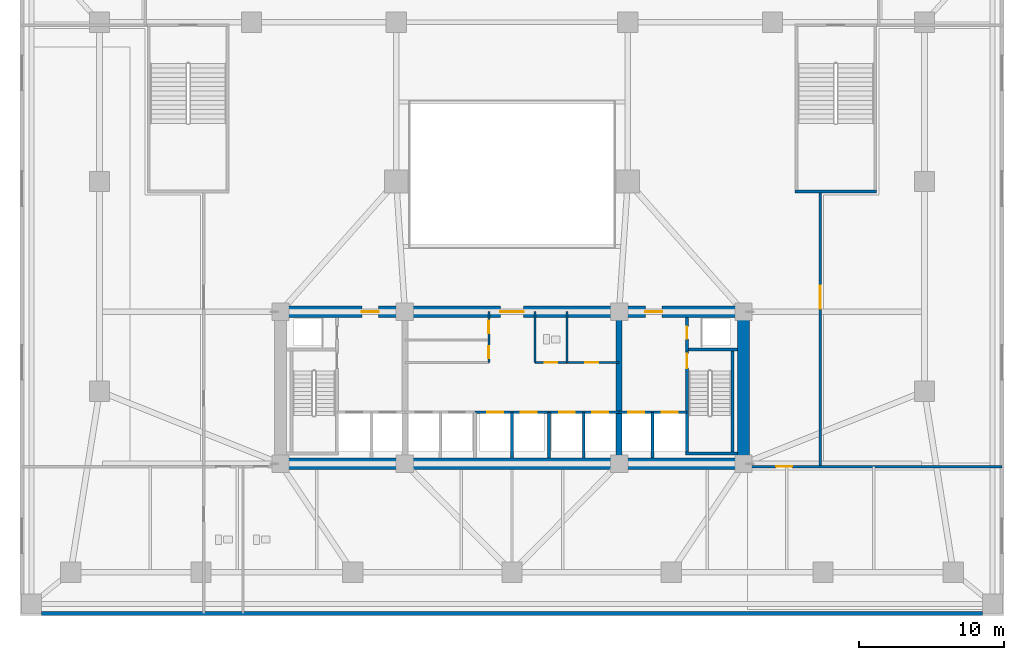
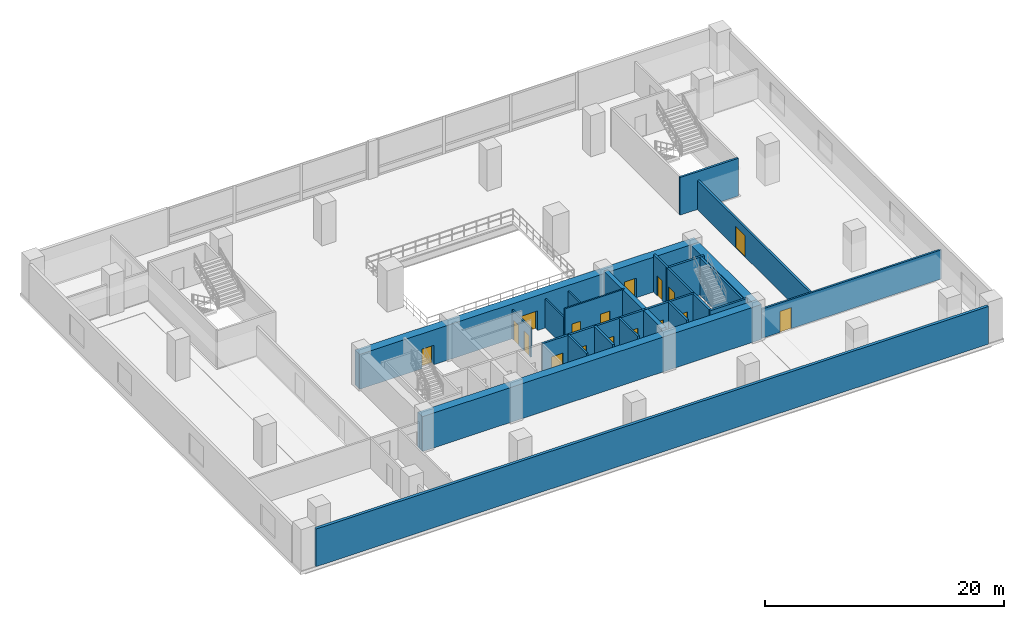
# One storey, part 8 of 15: 24 walls, 17 doors, 17 openings.
"""IFC4 building model written with IfcOpenShell, lengths in metres."""

from ifc_helpers import new_model, si_unit, direction, frame, frame_2d, origin, place, context, subcontext, project, spatial, rectangle, extrude, material, layer, layer_set, type_object, element, fill, save


model = new_model("IFC4")

# Units and contexts
model_context = context("Model", 3, precision=1e-05, world=origin(), true_north=direction((0.0, 1.0)))
body_context = subcontext(model_context, "Body", "Model", "MODEL_VIEW")
ifc_project = project(units=[si_unit("LENGTHUNIT", "METRE"), si_unit("AREAUNIT", "SQUARE_METRE"), si_unit("VOLUMEUNIT", "CUBIC_METRE"), si_unit("PLANEANGLEUNIT", "RADIAN"), si_unit("MASSUNIT", "GRAM", prefix="KILO")], contexts=[model_context])

# Site, building, storey
site_placement = place(None, origin())
site = spatial("IfcSite", under=ifc_project, at=site_placement, CompositionType="ELEMENT")
building_placement = place(site_placement, origin())
building = spatial("IfcBuilding", under=site, at=building_placement, Name="Solmavex Isthmus Hotel", CompositionType="ELEMENT")
storey_placement = place(building_placement, frame((0.0, 0.0, 16.199951171875)))
storey = spatial("IfcBuildingStorey", under=building, at=storey_placement, Name="L04", CompositionType="ELEMENT", Elevation=16.199951171875)

# Wall
ifc_material_1 = material(Name="Precast Concrete C40/50", Category="concrete")
ifc_layer_1 = layer(ifc_material_1, 0.280029296875)
ifc_layer_set_1 = layer_set([ifc_layer_1], Name="Precast Concrete C40/50")
wall_type_1 = type_object("IfcWallType", Name="EW-POD-280", PredefinedType="STANDARD", material=ifc_layer_set_1)
wall_1_placement = place(storey_placement, frame((-32.5, -23.360107421875, 0.0), z_axis=(0.0, 0.0, 1.0), x_axis=(1.0, 0.0, 0.0)))
element("IfcWall", 1, at=wall_1_placement, inside=storey, type_object=wall_type_1, Name="Podium Facade Wall South L04", PredefinedType="STANDARD", context=body_context, shape_type="SweptSolid", body=[
    extrude(rectangle(XDim=65.0, YDim=0.280029296875, at=frame_2d((32.5, 0.0))), origin(), (0.0, 0.0, 1.0), 3.85009765625),
])

# Wall, openings, doors
ifc_material_2 = material(Name="Gypsum plasterboard lining", Category="gypsum")
ifc_layer_2 = layer(ifc_material_2, 0.14990234375)
ifc_layer_set_2 = layer_set([ifc_layer_2], Name="Gypsum plasterboard lining")
wall_type_2 = type_object("IfcWallType", Name="IW-CORR-150", PredefinedType="PARTITIONING", material=ifc_layer_set_2)
wall_2_placement = place(storey_placement, frame((-1.60009765625, -6.0, 0.0), z_axis=(0.0, 0.0, 1.0), x_axis=(0.0, 1.0, 0.0)))
wall_2 = element("IfcWall", 2, at=wall_2_placement, inside=storey, type_object=wall_type_2, Name="Interior Partition Wall W-L04-BOH-WE", PredefinedType="PARTITIONING", context=body_context, shape_type="SweptSolid", body=[
    extrude(rectangle(XDim=3.5, YDim=0.14990234375, at=frame_2d((1.75, 0.0))), origin(), (0.0, 0.0, 1.0), 2.9794921875),
])
opening_1_placement = place(wall_2_placement, frame((0.27490234375, 0.0, 0.0)))
opening_1 = element("IfcOpeningElement", 3, at=opening_1_placement, cuts=wall_2, Name="Opening ID-R085", PredefinedType="OPENING", context=body_context, shape_type="SweptSolid", body=[
    extrude(rectangle(XDim=0.85009765625, YDim=2.050048828125, at=frame_2d((0.425048828125, 1.02490234375))), frame((0.0, 0.0849609375, 0.0), z_axis=(0.0, -1.0, 0.0), x_axis=(1.0, 0.0, 0.0)), (0.0, 0.0, 1.0), 0.169921875),
])
opening_2_placement = place(wall_2_placement, frame((2.02490234375, 0.0, 0.0)))
opening_2 = element("IfcOpeningElement", 4, at=opening_2_placement, cuts=wall_2, Name="Opening ID-R085", PredefinedType="OPENING", context=body_context, shape_type="SweptSolid", body=[
    extrude(rectangle(XDim=0.85009765625, YDim=2.050048828125, at=frame_2d((0.425048828125, 1.02490234375))), frame((0.0, 0.0849609375, 0.0), z_axis=(0.0, -1.0, 0.0), x_axis=(1.0, 0.0, 0.0)), (0.0, 0.0, 1.0), 0.169921875),
])
ifc_material_3 = material(Name="Steel ASTM A500 Grade C", Category="steel")
door_type_1 = type_object("IfcDoorType", Name="IDR-FD60-0850", OperationType="NOTDEFINED", PredefinedType="DOOR", material=ifc_material_3)
door_1_placement = place(opening_1_placement, origin())
door_1 = element("IfcDoor", 5, at=door_1_placement, inside=storey, type_object=door_type_1, Name="Housekeeping Door L04", OperationType="SINGLE_SWING_LEFT", OverallHeight=2.050048828125, OverallWidth=0.85009765625, PredefinedType="DOOR", context=body_context, shape_type="SweptSolid", body=[
    extrude(rectangle(XDim=0.85009765625, YDim=2.050048828125, at=frame_2d((0.425048828125, 1.02490234375))), frame((0.0, 0.02490234375, 0.0), z_axis=(0.0, -1.0, 0.0), x_axis=(1.0, 0.0, 0.0)), (0.0, 0.0, 1.0), 0.050048828125),
])
fill(opening_1, door_1)
door_2_placement = place(opening_2_placement, origin())
door_2 = element("IfcDoor", 6, at=door_2_placement, inside=storey, type_object=door_type_1, Name="Valet Store Door L04", OperationType="SINGLE_SWING_RIGHT", OverallHeight=2.050048828125, OverallWidth=0.85009765625, PredefinedType="DOOR", context=body_context, shape_type="SweptSolid", body=[
    extrude(rectangle(XDim=0.85009765625, YDim=2.050048828125, at=frame_2d((0.425048828125, 1.02490234375))), frame((0.0, 0.02490234375, 0.0), z_axis=(0.0, -1.0, 0.0), x_axis=(1.0, 0.0, 0.0)), (0.0, 0.0, 1.0), 0.050048828125),
])
fill(opening_2, door_2)

wall_3_placement = place(storey_placement, frame((1.60009765625, -6.0, 0.0), z_axis=(0.0, 0.0, 1.0), x_axis=(1.0, 0.0, 0.0)))
wall_3 = element("IfcWall", 7, at=wall_3_placement, inside=storey, type_object=wall_type_2, Name="Interior Partition Wall W-L04-BOH-ES", PredefinedType="PARTITIONING", context=body_context, shape_type="SweptSolid", body=[
    extrude(rectangle(XDim=5.7998046875, YDim=0.14990234375, at=frame_2d((2.89990234375, 0.0))), origin(), (0.0, 0.0, 1.0), 3.85009765625),
])
opening_3_placement = place(wall_3_placement, frame((0.675048828125, 0.0, 0.0)))
opening_3 = element("IfcOpeningElement", 8, at=opening_3_placement, cuts=wall_3, Name="Opening ID-R085", PredefinedType="OPENING", context=body_context, shape_type="SweptSolid", body=[
    extrude(rectangle(XDim=0.85009765625, YDim=2.050048828125, at=frame_2d((0.425048828125, 1.02490234375))), frame((0.0, 0.0849609375, 0.0), z_axis=(0.0, -1.0, 0.0), x_axis=(1.0, 0.0, 0.0)), (0.0, 0.0, 1.0), 0.169921875),
])
opening_4_placement = place(wall_3_placement, frame((3.449951171875, 0.0, 0.0)))
opening_4 = element("IfcOpeningElement", 9, at=opening_4_placement, cuts=wall_3, Name="Opening ID-C090", PredefinedType="OPENING", context=body_context, shape_type="SweptSolid", body=[
    extrude(rectangle(XDim=0.89990234375, YDim=2.10009765625, at=frame_2d((0.449951171875, 1.050048828125))), frame((0.0, 0.0849609375, 0.0), z_axis=(0.0, -1.0, 0.0), x_axis=(1.0, 0.0, 0.0)), (0.0, 0.0, 1.0), 0.169921875),
])
door_3_placement = place(opening_3_placement, frame((0.85009765625, 0.0, 0.0), z_axis=(0.0, 0.0, 1.0), x_axis=(-1.0, 0.0, 0.0)))
door_3 = element("IfcDoor", 10, at=door_3_placement, inside=storey, type_object=door_type_1, Name="Staff WC Door L04", OperationType="SINGLE_SWING_LEFT", OverallHeight=2.050048828125, OverallWidth=0.85009765625, PredefinedType="DOOR", context=body_context, shape_type="SweptSolid", body=[
    extrude(rectangle(XDim=0.85009765625, YDim=2.050048828125, at=frame_2d((0.425048828125, 1.02490234375))), frame((0.0, 0.02490234375, 0.0), z_axis=(0.0, -1.0, 0.0), x_axis=(1.0, 0.0, 0.0)), (0.0, 0.0, 1.0), 0.050048828125),
])
fill(opening_3, door_3)
ifc_material_4 = material(Name="Hardwood timber", Category="wood")
door_type_2 = type_object("IfcDoorType", Name="IDR-FD60-0900", OperationType="NOTDEFINED", PredefinedType="DOOR", material=ifc_material_4)
door_4_placement = place(opening_4_placement, frame((0.89990234375, 0.0, 0.0), z_axis=(0.0, 0.0, 1.0), x_axis=(-1.0, 0.0, 0.0)))
door_4 = element("IfcDoor", 11, at=door_4_placement, inside=storey, type_object=door_type_2, Name="Room Service Door L04", OperationType="SINGLE_SWING_RIGHT", OverallHeight=2.10009765625, OverallWidth=0.89990234375, PredefinedType="DOOR", context=body_context, shape_type="SweptSolid", body=[
    extrude(rectangle(XDim=0.89990234375, YDim=2.10009765625, at=frame_2d((0.449951171875, 1.050048828125))), frame((0.0, 0.02490234375, 0.0), z_axis=(0.0, -1.0, 0.0), x_axis=(1.0, 0.0, 0.0)), (0.0, 0.0, 1.0), 0.050048828125),
])
fill(opening_4, door_4)

# Walls
wall_4_placement = place(storey_placement, frame((1.60009765625, -6.0, 0.0), z_axis=(0.0, 0.0, 1.0), x_axis=(0.0, 1.0, 0.0)))
element("IfcWall", 12, at=wall_4_placement, inside=storey, type_object=wall_type_2, Name="Interior Partition Wall W-L04-BOH-EW", PredefinedType="PARTITIONING", context=body_context, shape_type="SweptSolid", body=[
    extrude(rectangle(XDim=3.5, YDim=0.14990234375, at=frame_2d((1.75, 0.0))), origin(), (0.0, 0.0, 1.0), 2.9794921875),
])
ifc_layer_3 = layer(ifc_material_2, 0.1201171875)
ifc_layer_set_3 = layer_set([ifc_layer_3], Name="Gypsum plasterboard lining")
wall_type_3 = type_object("IfcWallType", Name="IW-PART-120", PredefinedType="PARTITIONING", material=ifc_layer_set_3)
wall_5_placement = place(storey_placement, frame((3.800048828125, -6.0, 0.0), z_axis=(0.0, 0.0, 1.0), x_axis=(0.0, 1.0, 0.0)))
element("IfcWall", 13, at=wall_5_placement, inside=storey, type_object=wall_type_3, Name="Interior Partition Wall W-L04-BOH-EM3", PredefinedType="PARTITIONING", context=body_context, shape_type="SweptSolid", body=[
    extrude(rectangle(XDim=3.5, YDim=0.14990234375, at=frame_2d((1.75, 0.0))), origin(), (0.0, 0.0, 1.0), 2.9794921875),
])
ifc_material_5 = material(Name="Concrete C40/50", Category="concrete")
ifc_layer_4 = layer(ifc_material_5, 0.179931640625)
ifc_layer_set_4 = layer_set([ifc_layer_4], Name="Concrete C40/50")
wall_type_4 = type_object("IfcWallType", Name="IW-SHAFT-180", PredefinedType="PARTITIONING", material=ifc_layer_set_4)
for number, where, z_axis, x_axis, name in (
    (14, (0.0, -12.60009765625, 0.0), (0.0, 0.0, 1.0), (0.0, 1.0, 0.0), "Interior Partition Wall W-L04-SH-PLM-M"),
    (15, (4.949951171875, -12.60009765625, 0.0), (0.0, 0.0, 1.0), (0.0, 1.0, 0.0), "Interior Partition Wall W-L04-SH-PLH-M"),
):
    element("IfcWall", number, at=place(storey_placement, frame(where, z_axis=z_axis, x_axis=x_axis)), inside=storey, type_object=wall_type_4, Name=name, PredefinedType="PARTITIONING", context=body_context, shape_type="SweptSolid", body=[
        extrude(rectangle(XDim=3.150146484375, YDim=0.179931640625, at=frame_2d((1.5751953125, 0.0))), origin(), (0.0, 0.0, 1.0), 3.85009765625),
    ])

# Wall, opening, door
wall_6_placement = place(storey_placement, frame((16.0, -13.199951171875, 0.0), z_axis=(0.0, 0.0, 1.0), x_axis=(1.0, 0.0, 0.0)))
wall_6 = element("IfcWall", 16, at=wall_6_placement, inside=storey, type_object=wall_type_4, Name="Interior Partition Wall W-L04-SOUTH-E", PredefinedType="PARTITIONING", context=body_context, shape_type="SweptSolid", body=[
    extrude(rectangle(XDim=17.860107421875, YDim=0.179931640625, at=frame_2d((8.93017578125, 0.0))), origin(), (0.0, 0.0, 1.0), 2.9794921875),
])
opening_5_placement = place(wall_6_placement, frame((2.25, 0.0, 0.0)))
opening_5 = element("IfcOpeningElement", 17, at=opening_5_placement, cuts=wall_6, Name="Opening ID-C110", PredefinedType="OPENING", context=body_context, shape_type="SweptSolid", body=[
    extrude(rectangle(XDim=1.10009765625, YDim=2.14990234375, at=frame_2d((0.550048828125, 1.074951171875))), frame((0.0, 0.099853515625, 0.0), z_axis=(0.0, -1.0, 0.0), x_axis=(1.0, 0.0, 0.0)), (0.0, 0.0, 1.0), 0.199951171875),
])
door_type_3 = type_object("IfcDoorType", Name="IDR-FD60-1100", OperationType="NOTDEFINED", PredefinedType="DOOR", material=ifc_material_4)
door_5_placement = place(opening_5_placement, frame((1.10009765625, 0.0, 0.0), z_axis=(0.0, 0.0, 1.0), x_axis=(-1.0, 0.0, 0.0)))
door_5 = element("IfcDoor", 18, at=door_5_placement, inside=storey, type_object=door_type_3, Name="AV Control Door L04", OperationType="SINGLE_SWING_LEFT", OverallHeight=2.14990234375, OverallWidth=1.10009765625, PredefinedType="DOOR", context=body_context, shape_type="SweptSolid", body=[
    extrude(rectangle(XDim=1.10009765625, YDim=2.14990234375, at=frame_2d((0.550048828125, 1.074951171875))), frame((0.0, 0.02490234375, 0.0), z_axis=(0.0, -1.0, 0.0), x_axis=(1.0, 0.0, 0.0)), (0.0, 0.0, 1.0), 0.050048828125),
])
fill(opening_5, door_5)

ifc_layer_5 = layer(ifc_material_5, 0.199951171875)
ifc_layer_set_5 = layer_set([ifc_layer_5], Name="Concrete C40/50")
wall_type_5 = type_object("IfcWallType", Name="IW-SHAFT-200", PredefinedType="PARTITIONING", material=ifc_layer_set_5)
wall_7_placement = place(storey_placement, frame((12.10009765625, -5.199951171875, 0.0), z_axis=(0.0, 0.0, 1.0), x_axis=(0.0, 1.0, 0.0)))
wall_7 = element("IfcWall", 19, at=wall_7_placement, inside=storey, type_object=wall_type_5, Name="Interior Partition Wall W-L04-RSE-W", PredefinedType="PARTITIONING", context=body_context, shape_type="SweptSolid", body=[
    extrude(rectangle(XDim=2.300048828125, YDim=0.199951171875, at=frame_2d((1.14990234375, 0.0))), origin(), (0.0, 0.0, 1.0), 3.85009765625),
])
opening_6_placement = place(wall_7_placement, frame((0.824951171875, 0.0, 0.0)))
opening_6 = element("IfcOpeningElement", 20, at=opening_6_placement, cuts=wall_7, Name="Opening ID-R085", PredefinedType="OPENING", context=body_context, shape_type="SweptSolid", body=[
    extrude(rectangle(XDim=0.85009765625, YDim=2.050048828125, at=frame_2d((0.425048828125, 1.02490234375))), frame((0.0, 0.10986328125, 0.0), z_axis=(0.0, -1.0, 0.0), x_axis=(1.0, 0.0, 0.0)), (0.0, 0.0, 1.0), 0.219970703125),
])
door_6_placement = place(opening_6_placement, frame((0.85009765625, 0.0, 0.0), z_axis=(0.0, 0.0, 1.0), x_axis=(-1.0, 0.0, 0.0)))
door_6 = element("IfcDoor", 21, at=door_6_placement, inside=storey, type_object=door_type_1, Name="Mechanical Riser Door L04", OperationType="SINGLE_SWING_LEFT", OverallHeight=2.050048828125, OverallWidth=0.85009765625, PredefinedType="DOOR", context=body_context, shape_type="SweptSolid", body=[
    extrude(rectangle(XDim=0.85009765625, YDim=2.050048828125, at=frame_2d((0.425048828125, 1.02490234375))), frame((0.0, 0.02490234375, 0.0), z_axis=(0.0, -1.0, 0.0), x_axis=(1.0, 0.0, 0.0)), (0.0, 0.0, 1.0), 0.050048828125),
])
fill(opening_6, door_6)

# Wall, openings, doors
wall_8_placement = place(storey_placement, frame((7.39990234375, -9.449951171875, 0.0), z_axis=(0.0, 0.0, 1.0), x_axis=(1.0, 0.0, 0.0)))
wall_8 = element("IfcWall", 22, at=wall_8_placement, inside=storey, type_object=wall_type_5, Name="Interior Partition Wall W-L04-FFLE-S", PredefinedType="PARTITIONING", context=body_context, shape_type="SweptSolid", body=[
    extrude(rectangle(XDim=4.7001953125, YDim=0.199951171875, at=frame_2d((2.35009765625, 0.0))), origin(), (0.0, 0.0, 1.0), 3.85009765625),
])
opening_7_placement = place(wall_8_placement, frame((2.949951171875, 0.0, 0.0)))
opening_7 = element("IfcOpeningElement", 23, at=opening_7_placement, cuts=wall_8, Name="Opening LD-FF", PredefinedType="OPENING", context=body_context, shape_type="SweptSolid", body=[
    extrude(rectangle(XDim=1.10009765625, YDim=2.199951171875, at=frame_2d((0.550048828125, 1.10009765625))), frame((0.0, 0.10986328125, 0.0), z_axis=(0.0, -1.0, 0.0), x_axis=(1.0, 0.0, 0.0)), (0.0, 0.0, 1.0), 0.219970703125),
])
opening_8_placement = place(wall_8_placement, frame((0.64990234375, 0.0, 0.0)))
opening_8 = element("IfcOpeningElement", 24, at=opening_8_placement, cuts=wall_8, Name="Opening LD-SV", PredefinedType="OPENING", context=body_context, shape_type="SweptSolid", body=[
    extrude(rectangle(XDim=1.10009765625, YDim=2.199951171875, at=frame_2d((0.550048828125, 1.10009765625))), frame((0.0, 0.10986328125, 0.0), z_axis=(0.0, -1.0, 0.0), x_axis=(1.0, 0.0, 0.0)), (0.0, 0.0, 1.0), 0.219970703125),
])
ifc_material_6 = material(Name="Stainless steel 316", Category="steel")
door_type_4 = type_object("IfcDoorType", Name="LDR-FF-1100", OperationType="NOTDEFINED", PredefinedType="DOOR", material=ifc_material_6)
door_7_placement = place(opening_7_placement, origin())
door_7 = element("IfcDoor", 25, at=door_7_placement, inside=storey, type_object=door_type_4, Name="Lift Landing Door FFL-2 L04", OperationType="SLIDING_TO_LEFT", OverallHeight=2.199951171875, OverallWidth=1.10009765625, PredefinedType="DOOR", context=body_context, shape_type="SweptSolid", body=[
    extrude(rectangle(XDim=1.10009765625, YDim=2.199951171875, at=frame_2d((0.550048828125, 1.10009765625))), frame((0.0, 0.02490234375, 0.0), z_axis=(0.0, -1.0, 0.0), x_axis=(1.0, 0.0, 0.0)), (0.0, 0.0, 1.0), 0.050048828125),
])
fill(opening_7, door_7)
door_type_5 = type_object("IfcDoorType", Name="LDR-SV-1100", OperationType="NOTDEFINED", PredefinedType="DOOR", material=ifc_material_6)
door_8_placement = place(opening_8_placement, origin())
door_8 = element("IfcDoor", 26, at=door_8_placement, inside=storey, type_object=door_type_5, Name="Lift Landing Door SVL-2 L04", OperationType="SLIDING_TO_RIGHT", OverallHeight=2.199951171875, OverallWidth=1.10009765625, PredefinedType="DOOR", context=body_context, shape_type="SweptSolid", body=[
    extrude(rectangle(XDim=1.10009765625, YDim=2.199951171875, at=frame_2d((0.550048828125, 1.10009765625))), frame((0.0, 0.02490234375, 0.0), z_axis=(0.0, -1.0, 0.0), x_axis=(1.0, 0.0, 0.0)), (0.0, 0.0, 1.0), 0.050048828125),
])
fill(opening_8, door_8)

# Wall
wall_9_placement = place(storey_placement, frame((9.699951171875, -12.60009765625, 0.0), z_axis=(0.0, 0.0, 1.0), x_axis=(0.0, 1.0, 0.0)))
element("IfcWall", 27, at=wall_9_placement, inside=storey, type_object=wall_type_5, Name="Interior Partition Wall W-L04-FFLE-M", PredefinedType="PARTITIONING", context=body_context, shape_type="SweptSolid", body=[
    extrude(rectangle(XDim=3.150146484375, YDim=0.199951171875, at=frame_2d((1.5751953125, 0.0))), origin(), (0.0, 0.0, 1.0), 3.85009765625),
])

# Wall, openings, doors
wall_10_placement = place(storey_placement, frame((-2.550048828125, -9.449951171875, 0.0), z_axis=(0.0, 0.0, 1.0), x_axis=(1.0, 0.0, 0.0)))
wall_10 = element("IfcWall", 28, at=wall_10_placement, inside=storey, type_object=wall_type_5, Name="Interior Partition Wall W-L04-SH-PLM", PredefinedType="PARTITIONING", context=body_context, shape_type="SweptSolid", body=[
    extrude(rectangle(XDim=5.10009765625, YDim=0.199951171875, at=frame_2d((2.550048828125, 0.0))), origin(), (0.0, 0.0, 1.0), 3.85009765625),
])
opening_9_placement = place(wall_10_placement, frame((0.85009765625, 0.0, 0.0)))
opening_9 = element("IfcOpeningElement", 29, at=opening_9_placement, cuts=wall_10, Name="Opening LD-PL", PredefinedType="OPENING", context=body_context, shape_type="SweptSolid", body=[
    extrude(rectangle(XDim=1.10009765625, YDim=2.199951171875, at=frame_2d((0.550048828125, 1.10009765625))), frame((0.0, 0.10986328125, 0.0), z_axis=(0.0, -1.0, 0.0), x_axis=(1.0, 0.0, 0.0)), (0.0, 0.0, 1.0), 0.219970703125),
])
opening_10_placement = place(wall_10_placement, frame((3.14990234375, 0.0, 0.0)))
opening_10 = element("IfcOpeningElement", 30, at=opening_10_placement, cuts=wall_10, Name="Opening LD-PL", PredefinedType="OPENING", context=body_context, shape_type="SweptSolid", body=[
    extrude(rectangle(XDim=1.10009765625, YDim=2.199951171875, at=frame_2d((0.550048828125, 1.10009765625))), frame((0.0, 0.10986328125, 0.0), z_axis=(0.0, -1.0, 0.0), x_axis=(1.0, 0.0, 0.0)), (0.0, 0.0, 1.0), 0.219970703125),
])
door_type_6 = type_object("IfcDoorType", Name="LDR-PL-1100", OperationType="NOTDEFINED", PredefinedType="DOOR", material=ifc_material_6)
door_9_placement = place(opening_9_placement, origin())
door_9 = element("IfcDoor", 31, at=door_9_placement, inside=storey, type_object=door_type_6, Name="Lift Landing Door PLM1 L04", OperationType="SLIDING_TO_RIGHT", OverallHeight=2.199951171875, OverallWidth=1.10009765625, PredefinedType="DOOR", context=body_context, shape_type="SweptSolid", body=[
    extrude(rectangle(XDim=1.10009765625, YDim=2.199951171875, at=frame_2d((0.550048828125, 1.10009765625))), frame((0.0, 0.02490234375, 0.0), z_axis=(0.0, -1.0, 0.0), x_axis=(1.0, 0.0, 0.0)), (0.0, 0.0, 1.0), 0.050048828125),
])
fill(opening_9, door_9)
door_10_placement = place(opening_10_placement, origin())
door_10 = element("IfcDoor", 32, at=door_10_placement, inside=storey, type_object=door_type_6, Name="Lift Landing Door PLM2 L04", OperationType="SLIDING_TO_RIGHT", OverallHeight=2.199951171875, OverallWidth=1.10009765625, PredefinedType="DOOR", context=body_context, shape_type="SweptSolid", body=[
    extrude(rectangle(XDim=1.10009765625, YDim=2.199951171875, at=frame_2d((0.550048828125, 1.10009765625))), frame((0.0, 0.02490234375, 0.0), z_axis=(0.0, -1.0, 0.0), x_axis=(1.0, 0.0, 0.0)), (0.0, 0.0, 1.0), 0.050048828125),
])
fill(opening_10, door_10)

# Wall
wall_11_placement = place(storey_placement, frame((2.550048828125, -12.60009765625, 0.0), z_axis=(0.0, 0.0, 1.0), x_axis=(0.0, 1.0, 0.0)))
element("IfcWall", 33, at=wall_11_placement, inside=storey, type_object=wall_type_5, Name="Interior Partition Wall W-L04-SH-PLM-E", PredefinedType="PARTITIONING", context=body_context, shape_type="SweptSolid", body=[
    extrude(rectangle(XDim=3.150146484375, YDim=0.199951171875, at=frame_2d((1.5751953125, 0.0))), origin(), (0.0, 0.0, 1.0), 3.85009765625),
])

# Wall, openings, doors
wall_12_placement = place(storey_placement, frame((2.550048828125, -9.449951171875, 0.0), z_axis=(0.0, 0.0, 1.0), x_axis=(1.0, 0.0, 0.0)))
wall_12 = element("IfcWall", 34, at=wall_12_placement, inside=storey, type_object=wall_type_5, Name="Interior Partition Wall W-L04-SH-PLH", PredefinedType="PARTITIONING", context=body_context, shape_type="SweptSolid", body=[
    extrude(rectangle(XDim=4.849853515625, YDim=0.199951171875, at=frame_2d((2.4248046875, 0.0))), origin(), (0.0, 0.0, 1.0), 3.85009765625),
])
opening_11_placement = place(wall_12_placement, frame((0.699951171875, 0.0, 0.0)))
opening_11 = element("IfcOpeningElement", 35, at=opening_11_placement, cuts=wall_12, Name="Opening LD-PL", PredefinedType="OPENING", context=body_context, shape_type="SweptSolid", body=[
    extrude(rectangle(XDim=1.10009765625, YDim=2.199951171875, at=frame_2d((0.550048828125, 1.10009765625))), frame((0.0, 0.10986328125, 0.0), z_axis=(0.0, -1.0, 0.0), x_axis=(1.0, 0.0, 0.0)), (0.0, 0.0, 1.0), 0.219970703125),
])
opening_12_placement = place(wall_12_placement, frame((3.0, 0.0, 0.0)))
opening_12 = element("IfcOpeningElement", 36, at=opening_12_placement, cuts=wall_12, Name="Opening LD-PL", PredefinedType="OPENING", context=body_context, shape_type="SweptSolid", body=[
    extrude(rectangle(XDim=1.10009765625, YDim=2.199951171875, at=frame_2d((0.550048828125, 1.10009765625))), frame((0.0, 0.10986328125, 0.0), z_axis=(0.0, -1.0, 0.0), x_axis=(1.0, 0.0, 0.0)), (0.0, 0.0, 1.0), 0.219970703125),
])
door_11_placement = place(opening_11_placement, origin())
door_11 = element("IfcDoor", 37, at=door_11_placement, inside=storey, type_object=door_type_6, Name="Lift Landing Door PLH1 L04", OperationType="SLIDING_TO_LEFT", OverallHeight=2.199951171875, OverallWidth=1.10009765625, PredefinedType="DOOR", context=body_context, shape_type="SweptSolid", body=[
    extrude(rectangle(XDim=1.10009765625, YDim=2.199951171875, at=frame_2d((0.550048828125, 1.10009765625))), frame((0.0, 0.02490234375, 0.0), z_axis=(0.0, -1.0, 0.0), x_axis=(1.0, 0.0, 0.0)), (0.0, 0.0, 1.0), 0.050048828125),
])
fill(opening_11, door_11)
door_12_placement = place(opening_12_placement, origin())
door_12 = element("IfcDoor", 38, at=door_12_placement, inside=storey, type_object=door_type_6, Name="Lift Landing Door PLH2 L04", OperationType="SLIDING_TO_LEFT", OverallHeight=2.199951171875, OverallWidth=1.10009765625, PredefinedType="DOOR", context=body_context, shape_type="SweptSolid", body=[
    extrude(rectangle(XDim=1.10009765625, YDim=2.199951171875, at=frame_2d((0.550048828125, 1.10009765625))), frame((0.0, 0.02490234375, 0.0), z_axis=(0.0, -1.0, 0.0), x_axis=(1.0, 0.0, 0.0)), (0.0, 0.0, 1.0), 0.050048828125),
])
fill(opening_12, door_12)

# Wall, opening, door
wall_13_placement = place(storey_placement, frame((21.300048828125, -13.199951171875, 0.0), z_axis=(0.0, 0.0, 1.0), x_axis=(0.0, 1.0, 0.0)))
wall_13 = element("IfcWall", 39, at=wall_13_placement, inside=storey, type_object=wall_type_5, Name="Interior Partition Wall W-L04-EAST-H", PredefinedType="PARTITIONING", context=body_context, shape_type="SweptSolid", body=[
    extrude(rectangle(XDim=18.889892578125, YDim=0.199951171875, at=frame_2d((9.44482421875, 0.0))), origin(), (0.0, 0.0, 1.0), 2.9794921875),
])
opening_13_placement = place(wall_13_placement, frame((10.89990234375, 0.0, 0.0)))
opening_13 = element("IfcOpeningElement", 40, at=opening_13_placement, cuts=wall_13, Name="Opening ID-C160", PredefinedType="OPENING", context=body_context, shape_type="SweptSolid", body=[
    extrude(rectangle(XDim=1.60009765625, YDim=2.199951171875, at=frame_2d((0.800048828125, 1.10009765625))), frame((0.0, 0.10986328125, 0.0), z_axis=(0.0, -1.0, 0.0), x_axis=(1.0, 0.0, 0.0)), (0.0, 0.0, 1.0), 0.219970703125),
])
door_type_7 = type_object("IfcDoorType", Name="IDR-FD60-1600", OperationType="NOTDEFINED", PredefinedType="DOOR", material=ifc_material_4)
door_13_placement = place(opening_13_placement, origin())
door_13 = element("IfcDoor", 41, at=door_13_placement, inside=storey, type_object=door_type_7, Name="East Hall Main Door L04", OperationType="DOUBLE_DOOR_SINGLE_SWING", OverallHeight=2.199951171875, OverallWidth=1.60009765625, PredefinedType="DOOR", context=body_context, shape_type="SweptSolid", body=[
    extrude(rectangle(XDim=1.60009765625, YDim=2.199951171875, at=frame_2d((0.800048828125, 1.10009765625))), frame((0.0, 0.02490234375, 0.0), z_axis=(0.0, -1.0, 0.0), x_axis=(1.0, 0.0, 0.0)), (0.0, 0.0, 1.0), 0.050048828125),
])
fill(opening_13, door_13)

# Walls
ifc_material_7 = material(Name="Concrete C70/85", Category="concrete")
ifc_layer_6 = layer(ifc_material_7, 0.39990234375)
ifc_layer_set_6 = layer_set([ifc_layer_6], Name="Concrete C70/85")
wall_type_6 = type_object("IfcWallType", Name="WALL-CW-400L", PredefinedType="SHEAR", material=ifc_layer_set_6)
wall_14_placement = place(storey_placement, frame((7.39990234375, -12.60009765625, 0.0), z_axis=(0.0, 0.0, 1.0), x_axis=(0.0, 1.0, 0.0)))
element("IfcWall", 42, at=wall_14_placement, inside=storey, type_object=wall_type_6, Name="Core Cross Shear Wall C2 L04", PredefinedType="SHEAR", context=body_context, shape_type="SweptSolid", body=[
    extrude(rectangle(XDim=9.7001953125, YDim=0.39990234375, at=frame_2d((4.85009765625, 0.0))), origin(), (0.0, 0.0, 1.0), 3.85009765625),
])
ifc_layer_7 = layer(ifc_material_7, 0.800048828125)
ifc_layer_set_7 = layer_set([ifc_layer_7], Name="Concrete C70/85")
wall_type_7 = type_object("IfcWallType", Name="WALL-CW-800", PredefinedType="SHEAR", material=ifc_layer_set_7)
wall_15_placement = place(storey_placement, frame((-16.39990234375, -13.0, 0.0), z_axis=(0.0, 0.0, 1.0), x_axis=(1.0, 0.0, 0.0)))
element("IfcWall", 43, at=wall_15_placement, inside=storey, type_object=wall_type_7, Name="Core Shear Wall South L04", PredefinedType="SHEAR", context=body_context, shape_type="SweptSolid", body=[
    extrude(rectangle(XDim=32.7998046875, YDim=0.800048828125, at=frame_2d((16.39990234375, 0.0))), origin(), (0.0, 0.0, 1.0), 3.570068359375),
])

# Wall, openings, doors
wall_16_placement = place(storey_placement, frame((-16.39990234375, -2.5, 0.0), z_axis=(0.0, 0.0, 1.0), x_axis=(1.0, 0.0, 0.0)))
wall_16 = element("IfcWall", 44, at=wall_16_placement, inside=storey, type_object=wall_type_7, Name="Core Shear Wall North L04", PredefinedType="SHEAR", context=body_context, shape_type="SweptSolid", body=[
    extrude(rectangle(XDim=32.7998046875, YDim=0.800048828125, at=frame_2d((16.39990234375, 0.0))), origin(), (0.0, 0.0, 1.0), 3.570068359375),
])
opening_14_placement = place(wall_16_placement, frame((6.02490234375, 0.0, 0.0)))
opening_14 = element("IfcOpeningElement", 45, at=opening_14_placement, cuts=wall_16, Name="Opening ID-F915", PredefinedType="OPENING", context=body_context, shape_type="SweptSolid", body=[
    extrude(rectangle(XDim=1.14990234375, YDim=2.0, at=frame_2d((0.574951171875, 1.0))), frame((0.0, 0.409912109375, 0.0), z_axis=(0.0, -1.0, 0.0), x_axis=(1.0, 0.0, 0.0)), (0.0, 0.0, 1.0), 0.820068359375),
])
opening_15_placement = place(wall_16_placement, frame((15.60009765625, 0.0, 0.0)))
opening_15 = element("IfcOpeningElement", 46, at=opening_15_placement, cuts=wall_16, Name="Opening ID-F960", PredefinedType="OPENING", context=body_context, shape_type="SweptSolid", body=[
    extrude(rectangle(XDim=1.60009765625, YDim=2.0, at=frame_2d((0.800048828125, 1.0))), frame((0.0, 0.409912109375, 0.0), z_axis=(0.0, -1.0, 0.0), x_axis=(1.0, 0.0, 0.0)), (0.0, 0.0, 1.0), 0.820068359375),
])
opening_16_placement = place(wall_16_placement, frame((25.625, 0.0, 0.0)))
opening_16 = element("IfcOpeningElement", 47, at=opening_16_placement, cuts=wall_16, Name="Opening ID-F915", PredefinedType="OPENING", context=body_context, shape_type="SweptSolid", body=[
    extrude(rectangle(XDim=1.14990234375, YDim=2.0, at=frame_2d((0.574951171875, 1.0))), frame((0.0, 0.409912109375, 0.0), z_axis=(0.0, -1.0, 0.0), x_axis=(1.0, 0.0, 0.0)), (0.0, 0.0, 1.0), 0.820068359375),
])
door_type_8 = type_object("IfcDoorType", Name="IDR-FD90-1150C", OperationType="NOTDEFINED", PredefinedType="DOOR", material=ifc_material_3)
door_14_placement = place(opening_14_placement, origin())
door_14 = element("IfcDoor", 48, at=door_14_placement, inside=storey, type_object=door_type_8, Name="Firefighting Lobby West Exit Door L04", OperationType="SINGLE_SWING_LEFT", OverallHeight=2.0, OverallWidth=1.14990234375, PredefinedType="DOOR", context=body_context, shape_type="SweptSolid", body=[
    extrude(rectangle(XDim=1.14990234375, YDim=2.0, at=frame_2d((0.574951171875, 1.0))), frame((0.0, 0.02490234375, 0.0), z_axis=(0.0, -1.0, 0.0), x_axis=(1.0, 0.0, 0.0)), (0.0, 0.0, 1.0), 0.050048828125),
])
fill(opening_14, door_14)
door_15_placement = place(opening_16_placement, origin())
door_15 = element("IfcDoor", 49, at=door_15_placement, inside=storey, type_object=door_type_8, Name="Firefighting Lobby East Exit Door L04", OperationType="SINGLE_SWING_RIGHT", OverallHeight=2.0, OverallWidth=1.14990234375, PredefinedType="DOOR", context=body_context, shape_type="SweptSolid", body=[
    extrude(rectangle(XDim=1.14990234375, YDim=2.0, at=frame_2d((0.574951171875, 1.0))), frame((0.0, 0.02490234375, 0.0), z_axis=(0.0, -1.0, 0.0), x_axis=(1.0, 0.0, 0.0)), (0.0, 0.0, 1.0), 0.050048828125),
])
fill(opening_16, door_15)
door_type_9 = type_object("IfcDoorType", Name="IDR-FD90-1600C", OperationType="NOTDEFINED", PredefinedType="DOOR", material=ifc_material_3)
door_16_placement = place(opening_15_placement, origin())
door_16 = element("IfcDoor", 50, at=door_16_placement, inside=storey, type_object=door_type_9, Name="Central Lift Lobby Door L04", OperationType="DOUBLE_DOOR_SINGLE_SWING", OverallHeight=2.0, OverallWidth=1.60009765625, PredefinedType="DOOR", context=body_context, shape_type="SweptSolid", body=[
    extrude(rectangle(XDim=1.60009765625, YDim=2.0, at=frame_2d((0.800048828125, 1.0))), frame((0.0, 0.02490234375, 0.0), z_axis=(0.0, -1.0, 0.0), x_axis=(1.0, 0.0, 0.0)), (0.0, 0.0, 1.0), 0.050048828125),
])
fill(opening_15, door_16)

# Walls
wall_17_placement = place(storey_placement, frame((16.0, -12.60009765625, 0.0), z_axis=(0.0, 0.0, 1.0), x_axis=(0.0, 1.0, 0.0)))
element("IfcWall", 51, at=wall_17_placement, inside=storey, type_object=wall_type_7, Name="Core Shear Wall East L04", PredefinedType="SHEAR", context=body_context, shape_type="SweptSolid", body=[
    extrude(rectangle(XDim=9.7001953125, YDim=0.800048828125, at=frame_2d((4.85009765625, 0.0))), origin(), (0.0, 0.0, 1.0), 3.570068359375),
])
ifc_layer_8 = layer(ifc_material_5, 0.199951171875)
ifc_layer_set_8 = layer_set([ifc_layer_8], Name="Concrete C40/50")
wall_type_8 = type_object("IfcWallType", Name="WALL-SW-200", PredefinedType="SOLIDWALL", material=ifc_layer_set_8)
for number, where, z_axis, x_axis, name in (
    (52, (12.0, -12.300048828125, 0.0), (0.0, 0.0, 1.0), (1.0, 0.0, 0.0), "Stairwell Structural Wall SW-L04-ST2-S"),
    (53, (12.0, -5.10009765625, 0.0), (0.0, 0.0, 1.0), (1.0, 0.0, 0.0), "Stairwell Structural Wall SW-L04-ST2-N"),
):
    element("IfcWall", number, at=place(storey_placement, frame(where, z_axis=z_axis, x_axis=x_axis)), inside=storey, type_object=wall_type_8, Name=name, PredefinedType="SOLIDWALL", context=body_context, shape_type="SweptSolid", body=[
        extrude(rectangle(XDim=3.60009765625, YDim=0.199951171875, at=frame_2d((1.800048828125, 0.0))), origin(), (0.0, 0.0, 1.0), 3.85009765625),
    ])

# Wall, opening, door
wall_18_placement = place(storey_placement, frame((12.10009765625, -12.199951171875, 0.0), z_axis=(0.0, 0.0, 1.0), x_axis=(0.0, 1.0, 0.0)))
wall_18 = element("IfcWall", 54, at=wall_18_placement, inside=storey, type_object=wall_type_8, Name="Stairwell Structural Wall SW-L04-ST2-W", PredefinedType="SOLIDWALL", context=body_context, shape_type="SweptSolid", body=[
    extrude(rectangle(XDim=7.0, YDim=0.199951171875, at=frame_2d((3.5, 0.0))), origin(), (0.0, 0.0, 1.0), 3.85009765625),
])
opening_17_placement = place(wall_18_placement, frame((5.800048828125, 0.0, 0.0)))
opening_17 = element("IfcOpeningElement", 55, at=opening_17_placement, cuts=wall_18, Name="Opening ID-F100", PredefinedType="OPENING", context=body_context, shape_type="SweptSolid", body=[
    extrude(rectangle(XDim=1.0, YDim=2.10009765625, at=frame_2d((0.5, 1.050048828125))), frame((0.0, 0.10986328125, 0.0), z_axis=(0.0, -1.0, 0.0), x_axis=(1.0, 0.0, 0.0)), (0.0, 0.0, 1.0), 0.219970703125),
])
door_type_10 = type_object("IfcDoorType", Name="IDR-FD90-1000", OperationType="NOTDEFINED", PredefinedType="DOOR", material=ifc_material_3)
door_17_placement = place(opening_17_placement, origin())
door_17 = element("IfcDoor", 56, at=door_17_placement, inside=storey, type_object=door_type_10, Name="Stair ST-2 Fire Door L04", OperationType="SINGLE_SWING_RIGHT", OverallHeight=2.10009765625, OverallWidth=1.0, PredefinedType="DOOR", context=body_context, shape_type="SweptSolid", body=[
    extrude(rectangle(XDim=1.0, YDim=2.10009765625, at=frame_2d((0.5, 1.050048828125))), frame((0.0, 0.02490234375, 0.0), z_axis=(0.0, -1.0, 0.0), x_axis=(1.0, 0.0, 0.0)), (0.0, 0.0, 1.0), 0.050048828125),
])
fill(opening_17, door_17)

# Walls
wall_19_placement = place(storey_placement, frame((15.25, -12.199951171875, 0.0), z_axis=(0.0, 0.0, 1.0), x_axis=(0.0, 1.0, 0.0)))
element("IfcWall", 57, at=wall_19_placement, inside=storey, type_object=wall_type_8, Name="Stairwell Structural Wall SW-L04-ST2-E", PredefinedType="SOLIDWALL", context=body_context, shape_type="SweptSolid", body=[
    extrude(rectangle(XDim=7.0, YDim=0.199951171875, at=frame_2d((3.5, 0.0))), origin(), (0.0, 0.0, 1.0), 3.85009765625),
])
wall_20_placement = place(storey_placement, frame((19.550048828125, 5.800048828125, 0.0), z_axis=(0.0, 0.0, 1.0), x_axis=(1.0, 0.0, 0.0)))
element("IfcWall", 58, at=wall_20_placement, inside=storey, type_object=wall_type_8, Name="Stairwell Structural Wall SW-L04-ST3-S", PredefinedType="SOLIDWALL", context=body_context, shape_type="SweptSolid", body=[
    extrude(rectangle(XDim=5.64990234375, YDim=0.199951171875, at=frame_2d((2.824951171875, 0.0))), origin(), (0.0, 0.0, 1.0), 3.85009765625),
])

save(model, "model.ifc")
